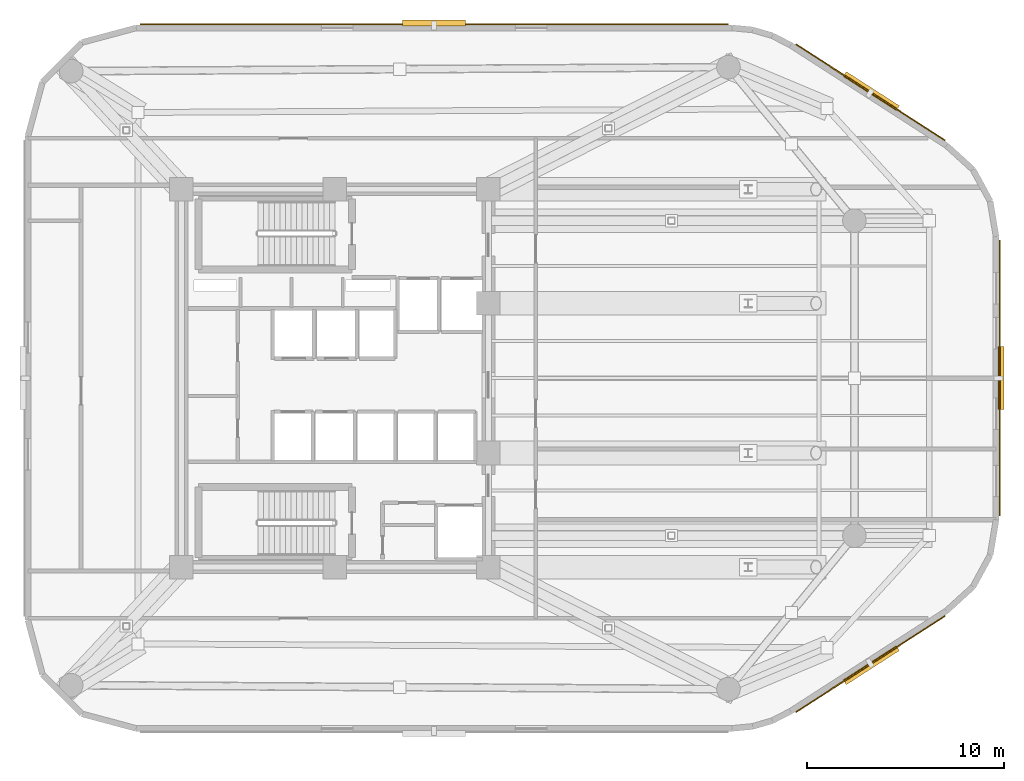
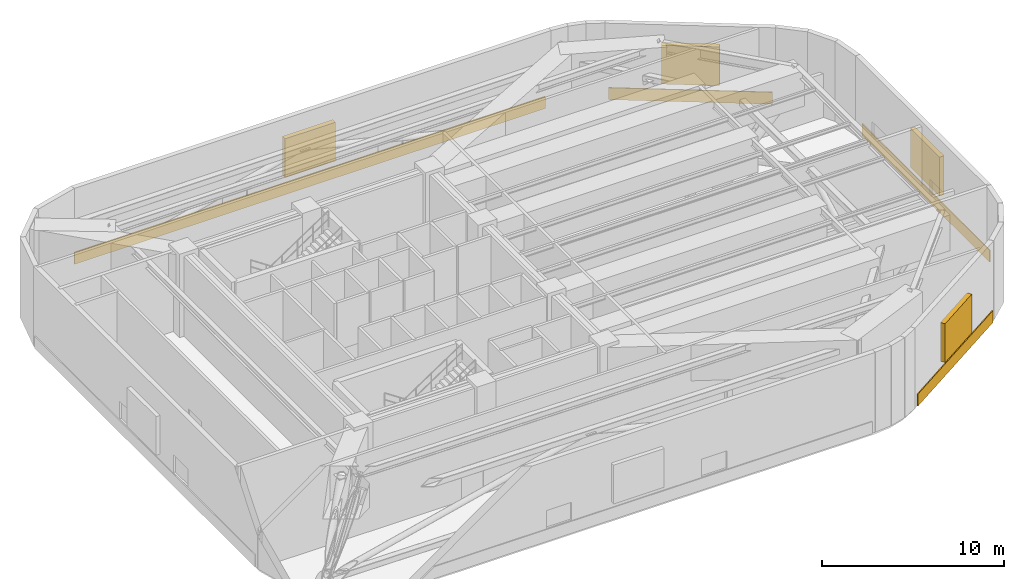
# One storey, part 9 of 9: 4 coverings, 4 shading devices.
"""IFC4 building model written with IfcOpenShell, lengths in metres."""

from ifc_helpers import new_model, si_unit, direction, frame, origin, origin_2d, place, context, subcontext, project, spatial, rectangle, extrude, material, layer, layer_set, type_object, element, save


model = new_model("IFC4")

# Units and contexts
model_context = context("Model", 3, precision=1e-05, world=origin(), true_north=direction((0.0, 1.0)))
body_context = subcontext(model_context, "Body", "Model", "MODEL_VIEW")
ifc_project = project(units=[si_unit("LENGTHUNIT", "METRE"), si_unit("AREAUNIT", "SQUARE_METRE"), si_unit("VOLUMEUNIT", "CUBIC_METRE"), si_unit("PLANEANGLEUNIT", "RADIAN"), si_unit("MASSUNIT", "GRAM", prefix="KILO")], contexts=[model_context])

# Site, building, storey
site_placement = place(None, origin())
site = spatial("IfcSite", under=ifc_project, at=site_placement, CompositionType="ELEMENT")
building_placement = place(site_placement, origin())
building = spatial("IfcBuilding", under=site, at=building_placement, Name="An Khanh Terracotta Commons", CompositionType="ELEMENT")
storey_placement = place(building_placement, frame((0.0, 0.0, 190.60009765625)))
storey = spatial("IfcBuildingStorey", under=building, at=storey_placement, Name="L50", CompositionType="ELEMENT", Elevation=190.60009765625)

# Shading devices
ifc_material_1 = material(Name="Anodised Aluminium 6063-T6", Category="aluminium")
shading_device_type = type_object("IfcShadingDeviceType", Name="Acoustic Plant Weather Louvre", PredefinedType="USERDEFINED", material=ifc_material_1)
for number, where, z_axis, x_axis, name in (
    (1, (56.654052734375, 9.416015625, 1.199951171875), (0.0, 0.0, 1.0), (0.840702081986, 0.541497931062, 0.0), "L50 Refuge Acoustic Louvre 8"),
    (2, (63.25, 24.0, 1.199951171875), (0.0, 0.0, 1.0), (0.0, 1.0, 0.0), "L50 Refuge Acoustic Louvre 12"),
    (3, (56.654052734375, 38.583984375, 1.199951171875), (0.0, 0.0, 1.0), (-0.840702081986, 0.541497931062, 0.0), "L50 Refuge Acoustic Louvre 16"),
    (4, (34.44091796875, 42.050048828125, 1.199951171875), (0.0, 0.0, 1.0), (-1.0, 0.0, 0.0), "L50 Refuge Acoustic Louvre 20"),
):
    element("IfcShadingDevice", number, at=place(storey_placement, frame(where, z_axis=z_axis, x_axis=x_axis)), inside=storey, type_object=shading_device_type, Name=name, ObjectType="LOUVRE", PredefinedType="USERDEFINED", context=body_context, shape_type="SweptSolid", body=[
        extrude(rectangle(XDim=3.199951171875, YDim=0.300048828125, at=origin_2d()), origin(), (0.0, 0.0, 1.0), 2.60009765625),
    ])

# Coverings
ifc_material_2 = material(Name="Fired Terracotta Rainscreen Cladding", Category="masonry")
ifc_layer = layer(ifc_material_2, 0.06005859375, Name="Fired Terracotta Rainscreen Cladding")
ifc_layer_set = layer_set([ifc_layer], Name="Fired Terracotta Rainscreen Cladding")
covering_type = type_object("IfcCoveringType", Name="COV-SPANDREL-TERRA", PredefinedType="CLADDING", material=ifc_layer_set)
covering_1_placement = place(storey_placement, frame((56.615966796875, 9.47509765625, 0.02001953125), z_axis=(0.0, 0.0, 1.0), x_axis=(0.840702081986, 0.541497931062, 0.0)))
element("IfcCovering", 5, at=covering_1_placement, inside=storey, type_object=covering_type, Name="L50 Terracotta Spandrel Cladding 8", PredefinedType="CLADDING", context=body_context, shape_type="SweptSolid", body=[
    extrude(rectangle(XDim=9.01806640625, YDim=0.06005859375, at=origin_2d()), origin(), (0.0, 0.0, 1.0), 0.800048828125),
])
covering_2_placement = place(storey_placement, frame((63.179931640625, 24.0, 0.02001953125), z_axis=(0.0, 0.0, 1.0), x_axis=(0.0, 1.0, 0.0)))
element("IfcCovering", 6, at=covering_2_placement, inside=storey, type_object=covering_type, Name="L50 Terracotta Spandrel Cladding 12", PredefinedType="CLADDING", context=body_context, shape_type="SweptSolid", body=[
    extrude(rectangle(XDim=14.0, YDim=0.06005859375, at=origin_2d()), origin(), (0.0, 0.0, 1.0), 0.800048828125),
])
covering_3_placement = place(storey_placement, frame((56.615966796875, 38.52490234375, 0.02001953125), z_axis=(0.0, 0.0, 1.0), x_axis=(-0.840702081986, 0.541497931062, 0.0)))
element("IfcCovering", 7, at=covering_3_placement, inside=storey, type_object=covering_type, Name="L50 Terracotta Spandrel Cladding 16", PredefinedType="CLADDING", context=body_context, shape_type="SweptSolid", body=[
    extrude(rectangle(XDim=9.01806640625, YDim=0.06005859375, at=origin_2d()), origin(), (0.0, 0.0, 1.0), 0.800048828125),
])
covering_4_placement = place(storey_placement, frame((34.44091796875, 41.97998046875, 0.02001953125), z_axis=(0.0, 0.0, 1.0), x_axis=(-1.0, 0.0, 0.0)))
element("IfcCovering", 8, at=covering_4_placement, inside=storey, type_object=covering_type, Name="L50 Terracotta Spandrel Cladding 20", PredefinedType="CLADDING", context=body_context, shape_type="SweptSolid", body=[
    extrude(rectangle(XDim=29.882080078125, YDim=0.06005859375, at=origin_2d()), origin(), (0.0, 0.0, 1.0), 0.800048828125),
])

save(model, "model.ifc")
